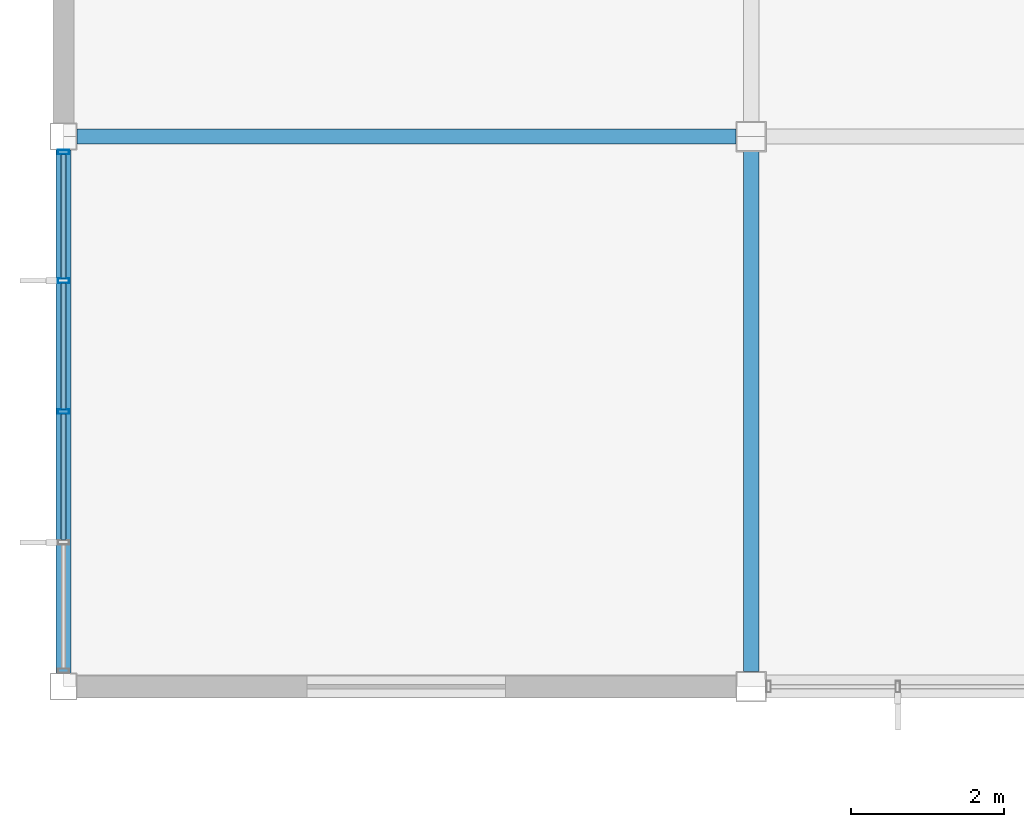
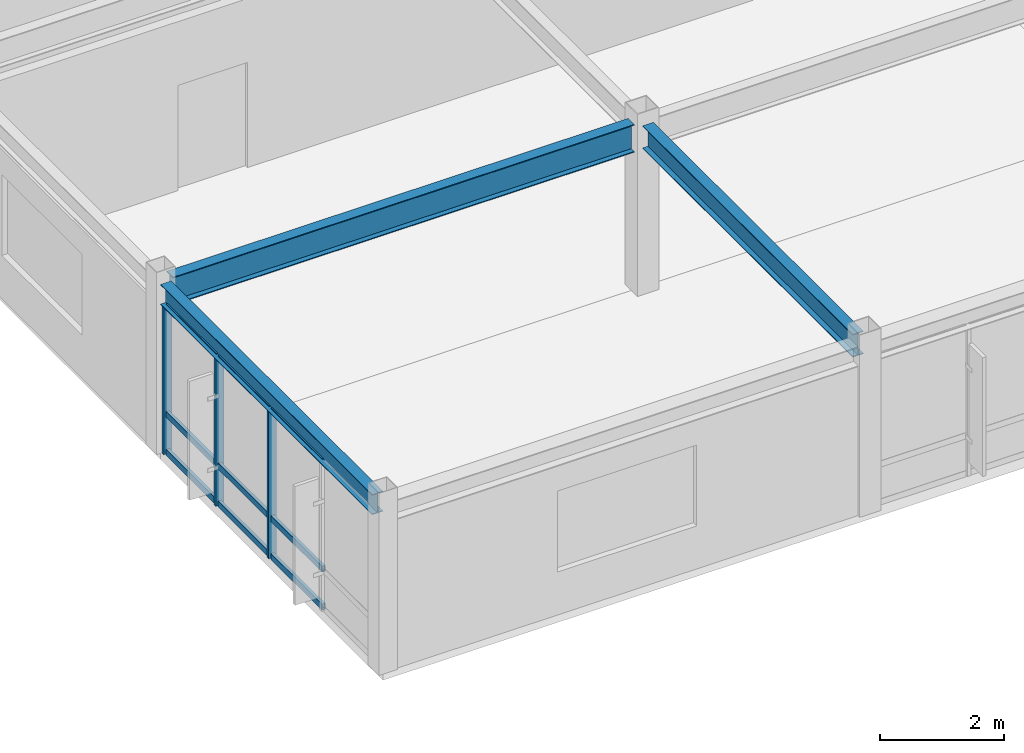
# One storey, part 6 of 34: 12 members, 3 beams, 1 element without a shape of its own.
"""IFC4 building model written with IfcOpenShell, lengths in metres."""

from ifc_helpers import new_model, si_unit, direction, frame, origin, origin_2d, place, context, subcontext, project, spatial, hollow_rectangle, i_section, extrude, material, material_profile, profile_set, type_object, element, aggregate, save


model = new_model("IFC4")

# Units and contexts
model_context = context("Model", 3, precision=1e-05, world=origin(), true_north=direction((0.0, 1.0)))
body_context = subcontext(model_context, "Body", "Model", "MODEL_VIEW")
ifc_project = project(units=[si_unit("LENGTHUNIT", "METRE"), si_unit("AREAUNIT", "SQUARE_METRE"), si_unit("VOLUMEUNIT", "CUBIC_METRE"), si_unit("PLANEANGLEUNIT", "RADIAN"), si_unit("MASSUNIT", "GRAM", prefix="KILO")], contexts=[model_context])

# Site, building, storey
site_placement = place(None, origin())
site = spatial("IfcSite", under=ifc_project, at=site_placement, CompositionType="ELEMENT")
building_placement = place(site_placement, origin())
building = spatial("IfcBuilding", under=site, at=building_placement, Name="Kazanami Central Library", CompositionType="ELEMENT")
storey_placement = place(building_placement, frame((0.0, 0.0, 17.0)))
storey = spatial("IfcBuildingStorey", under=building, at=storey_placement, Name="L05", CompositionType="ELEMENT", Elevation=17.0)

# Beams
ifc_material_1 = material(Name="Steel SN490B (325 MPa)", Category="steel")
ifc_material_profile_1 = material_profile(ifc_material_1, i_section(OverallWidth=0.199951171875, OverallDepth=0.550048828125, WebThickness=0.010009765625, FlangeThickness=0.01611328125, at=origin_2d()), Name="H-550x200x10x16")
ifc_profile_set_1 = profile_set([ifc_material_profile_1], Name="Steel SN490B (325 MPa)")
beam_type_1 = type_object("IfcBeamType", Name="BM-G-X3", PredefinedType="BEAM", material=ifc_profile_set_1)
beam_1_placement = place(storey_placement, frame((0.173095703125, 72.0, 3.06494140625), z_axis=(1.0, 0.0, 0.0), x_axis=(0.0, 1.0, 0.0)))
element("IfcBeam", 1, at=beam_1_placement, inside=storey, type_object=beam_type_1, Name="Girder G-X3 L05 L/1-2", PredefinedType="BEAM", context=body_context, shape_type="SweptSolid", body=[
    extrude(i_section(OverallWidth=0.199951171875, OverallDepth=0.550048828125, WebThickness=0.010009765625, FlangeThickness=0.01611328125, at=origin_2d()), origin(), (0.0, 0.0, 1.0), 8.62890625),
])
ifc_material_profile_2 = material_profile(ifc_material_1, i_section(OverallWidth=0.199951171875, OverallDepth=0.449951171875, WebThickness=0.009033203125, FlangeThickness=0.013916015625, at=origin_2d()), Name="H-450x200x9x14")
ifc_profile_set_2 = profile_set([ifc_material_profile_2], Name="Steel SN490B (325 MPa)")
beam_type_2 = type_object("IfcBeamType", Name="BM-G-Y3", PredefinedType="BEAM", material=ifc_profile_set_2)
beam_2_placement = place(storey_placement, frame((9.0, 64.998046875, 3.114990234375), z_axis=(0.0, 1.0, 0.0), x_axis=(-1.0, 0.0, 0.0)))
element("IfcBeam", 2, at=beam_2_placement, inside=storey, type_object=beam_type_2, Name="Girder G-Y3 L05 2/K-L", PredefinedType="BEAM", context=body_context, shape_type="SweptSolid", body=[
    extrude(i_section(OverallWidth=0.199951171875, OverallDepth=0.449951171875, WebThickness=0.009033203125, FlangeThickness=0.013916015625, at=origin_2d()), origin(), (0.0, 0.0, 1.0), 6.803955078125),
])
ifc_material_profile_3 = material_profile(ifc_material_1, i_section(OverallWidth=0.199951171875, OverallDepth=0.39990234375, WebThickness=0.008056640625, FlangeThickness=0.012939453125, at=origin_2d()), Name="H-400x200x8x13")
ifc_profile_set_3 = profile_set([ifc_material_profile_3], Name="Steel SN490B (325 MPa)")
beam_type_3 = type_object("IfcBeamType", Name="BM-SP-3", PredefinedType="SPANDREL", material=ifc_profile_set_3)
beam_3_placement = place(storey_placement, frame((0.0, 64.972900390625, 3.139892578125), z_axis=(0.0, 1.0, 0.0), x_axis=(-1.0, 0.0, 0.0)))
element("IfcBeam", 3, at=beam_3_placement, inside=storey, type_object=beam_type_3, Name="Girder SP-3 L05 1/K-L", PredefinedType="SPANDREL", context=body_context, shape_type="SweptSolid", body=[
    extrude(i_section(OverallWidth=0.199951171875, OverallDepth=0.39990234375, WebThickness=0.008056640625, FlangeThickness=0.012939453125, at=origin_2d()), origin(), (0.0, 0.0, 1.0), 6.85400390625),
])

# Curtain wall, members
ifc_material_2 = material(Name="Acid-Etched Low-E Laminated Glass", Category="glass")
curtain_wall_type = type_object("IfcCurtainWallType", Name="CW-6850x2940-M180", PredefinedType="USERDEFINED", material=ifc_material_2)
curtain_wall_placement = place(storey_placement, origin())
curtain_wall = element("IfcCurtainWall", 4, at=curtain_wall_placement, inside=storey, type_object=curtain_wall_type, Name="Unitised Curtain Wall CW-52 L05 W-1-09", ObjectType="UNITISED CURTAIN WALL", PredefinedType="USERDEFINED")
ifc_material_3 = material(Name="Anodised Aluminium A6063-T5", Category="aluminium")
ifc_material_profile_4 = material_profile(ifc_material_3, hollow_rectangle(XDim=0.06005859375, YDim=0.14990234375, WallThickness=0.00390625, at=origin_2d()), Name="ALU-MULL-60x150x4")
ifc_profile_set_4 = profile_set([ifc_material_profile_4], Name="Anodised Aluminium A6063-T5")
member_type_1 = type_object("IfcMemberType", Name="MEM-CW-M3", PredefinedType="MULLION", material=ifc_profile_set_4)
member_1_placement = place(storey_placement, frame((0.0, 68.39990234375, 0.0), z_axis=(0.0, 0.0, 1.0), x_axis=(0.0, 1.0, 0.0)))
member_1 = element("IfcMember", 5, at=member_1_placement, type_object=member_type_1, Name="CW-52 mullion 3", PredefinedType="MULLION", context=body_context, shape_type="SweptSolid", body=[
    extrude(hollow_rectangle(XDim=0.06005859375, YDim=0.14990234375, WallThickness=0.00390625, at=origin_2d()), origin(), (0.0, 0.0, 1.0), 2.93994140625),
])
member_2_placement = place(storey_placement, frame((0.0, 70.112548828125, 0.0), z_axis=(0.0, 0.0, 1.0), x_axis=(0.0, 1.0, 0.0)))
member_2 = element("IfcMember", 6, at=member_2_placement, type_object=member_type_1, Name="CW-52 mullion 4", PredefinedType="MULLION", context=body_context, shape_type="SweptSolid", body=[
    extrude(hollow_rectangle(XDim=0.06005859375, YDim=0.14990234375, WallThickness=0.00390625, at=origin_2d()), origin(), (0.0, 0.0, 1.0), 2.93994140625),
])
member_3_placement = place(storey_placement, frame((0.0, 71.794921875, 0.0), z_axis=(0.0, 0.0, 1.0), x_axis=(0.0, 1.0, 0.0)))
member_3 = element("IfcMember", 7, at=member_3_placement, type_object=member_type_1, Name="CW-52 mullion 5", PredefinedType="MULLION", context=body_context, shape_type="SweptSolid", body=[
    extrude(hollow_rectangle(XDim=0.06005859375, YDim=0.14990234375, WallThickness=0.00390625, at=origin_2d()), origin(), (0.0, 0.0, 1.0), 2.93994140625),
])
ifc_material_profile_5 = material_profile(ifc_material_3, hollow_rectangle(XDim=0.06005859375, YDim=0.1201171875, WallThickness=0.00341796875, at=origin_2d()), Name="ALU-TRAN-60x120x3.5")
ifc_profile_set_5 = profile_set([ifc_material_profile_5], Name="Anodised Aluminium A6063-T5")
member_type_2 = type_object("IfcMemberType", Name="MEM-CW-T3", PredefinedType="USERDEFINED", material=ifc_profile_set_5)
member_4_placement = place(storey_placement, frame((0.0, 66.717529296875, 0.030029296875), z_axis=(0.0, 1.0, 0.0), x_axis=(-1.0, 0.0, 0.0)))
member_4 = element("IfcMember", 8, at=member_4_placement, type_object=member_type_2, Name="CW-52 transom 2.1", ObjectType="TRANSOM", PredefinedType="USERDEFINED", context=body_context, shape_type="SweptSolid", body=[
    extrude(hollow_rectangle(XDim=0.06005859375, YDim=0.1201171875, WallThickness=0.00341796875, at=origin_2d()), origin(), (0.0, 0.0, 1.0), 1.652587890625),
])
member_5_placement = place(storey_placement, frame((0.0, 66.717529296875, 0.780029296875), z_axis=(0.0, 1.0, 0.0), x_axis=(-1.0, 0.0, 0.0)))
member_5 = element("IfcMember", 9, at=member_5_placement, type_object=member_type_2, Name="CW-52 transom 2.2", ObjectType="TRANSOM", PredefinedType="USERDEFINED", context=body_context, shape_type="SweptSolid", body=[
    extrude(hollow_rectangle(XDim=0.06005859375, YDim=0.1201171875, WallThickness=0.00341796875, at=origin_2d()), origin(), (0.0, 0.0, 1.0), 1.652587890625),
])
member_6_placement = place(storey_placement, frame((0.0, 66.717529296875, 2.909912109375), z_axis=(0.0, 1.0, 0.0), x_axis=(-1.0, 0.0, 0.0)))
member_6 = element("IfcMember", 10, at=member_6_placement, type_object=member_type_2, Name="CW-52 transom 2.3", ObjectType="TRANSOM", PredefinedType="USERDEFINED", context=body_context, shape_type="SweptSolid", body=[
    extrude(hollow_rectangle(XDim=0.06005859375, YDim=0.1201171875, WallThickness=0.00341796875, at=origin_2d()), origin(), (0.0, 0.0, 1.0), 1.652587890625),
])
member_7_placement = place(storey_placement, frame((0.0, 68.429931640625, 0.030029296875), z_axis=(0.0, 1.0, 0.0), x_axis=(-1.0, 0.0, 0.0)))
member_7 = element("IfcMember", 11, at=member_7_placement, type_object=member_type_2, Name="CW-52 transom 3.1", ObjectType="TRANSOM", PredefinedType="USERDEFINED", context=body_context, shape_type="SweptSolid", body=[
    extrude(hollow_rectangle(XDim=0.06005859375, YDim=0.1201171875, WallThickness=0.00341796875, at=origin_2d()), origin(), (0.0, 0.0, 1.0), 1.652587890625),
])
member_8_placement = place(storey_placement, frame((0.0, 68.429931640625, 0.780029296875), z_axis=(0.0, 1.0, 0.0), x_axis=(-1.0, 0.0, 0.0)))
member_8 = element("IfcMember", 12, at=member_8_placement, type_object=member_type_2, Name="CW-52 transom 3.2", ObjectType="TRANSOM", PredefinedType="USERDEFINED", context=body_context, shape_type="SweptSolid", body=[
    extrude(hollow_rectangle(XDim=0.06005859375, YDim=0.1201171875, WallThickness=0.00341796875, at=origin_2d()), origin(), (0.0, 0.0, 1.0), 1.652587890625),
])
member_9_placement = place(storey_placement, frame((0.0, 68.429931640625, 2.909912109375), z_axis=(0.0, 1.0, 0.0), x_axis=(-1.0, 0.0, 0.0)))
member_9 = element("IfcMember", 13, at=member_9_placement, type_object=member_type_2, Name="CW-52 transom 3.3", ObjectType="TRANSOM", PredefinedType="USERDEFINED", context=body_context, shape_type="SweptSolid", body=[
    extrude(hollow_rectangle(XDim=0.06005859375, YDim=0.1201171875, WallThickness=0.00341796875, at=origin_2d()), origin(), (0.0, 0.0, 1.0), 1.652587890625),
])
member_10_placement = place(storey_placement, frame((0.0, 70.142578125, 0.030029296875), z_axis=(0.0, 1.0, 0.0), x_axis=(-1.0, 0.0, 0.0)))
member_10 = element("IfcMember", 14, at=member_10_placement, type_object=member_type_2, Name="CW-52 transom 4.1", ObjectType="TRANSOM", PredefinedType="USERDEFINED", context=body_context, shape_type="SweptSolid", body=[
    extrude(hollow_rectangle(XDim=0.06005859375, YDim=0.1201171875, WallThickness=0.00341796875, at=origin_2d()), origin(), (0.0, 0.0, 1.0), 1.622314453125),
])
member_11_placement = place(storey_placement, frame((0.0, 70.142578125, 0.780029296875), z_axis=(0.0, 1.0, 0.0), x_axis=(-1.0, 0.0, 0.0)))
member_11 = element("IfcMember", 15, at=member_11_placement, type_object=member_type_2, Name="CW-52 transom 4.2", ObjectType="TRANSOM", PredefinedType="USERDEFINED", context=body_context, shape_type="SweptSolid", body=[
    extrude(hollow_rectangle(XDim=0.06005859375, YDim=0.1201171875, WallThickness=0.00341796875, at=origin_2d()), origin(), (0.0, 0.0, 1.0), 1.622314453125),
])
member_12_placement = place(storey_placement, frame((0.0, 70.142578125, 2.909912109375), z_axis=(0.0, 1.0, 0.0), x_axis=(-1.0, 0.0, 0.0)))
member_12 = element("IfcMember", 16, at=member_12_placement, type_object=member_type_2, Name="CW-52 transom 4.3", ObjectType="TRANSOM", PredefinedType="USERDEFINED", context=body_context, shape_type="SweptSolid", body=[
    extrude(hollow_rectangle(XDim=0.06005859375, YDim=0.1201171875, WallThickness=0.00341796875, at=origin_2d()), origin(), (0.0, 0.0, 1.0), 1.622314453125),
])
aggregate(curtain_wall, [member_1, member_2, member_3, member_4, member_5, member_6, member_7, member_8, member_9, member_10, member_11, member_12])

save(model, "model.ifc")
